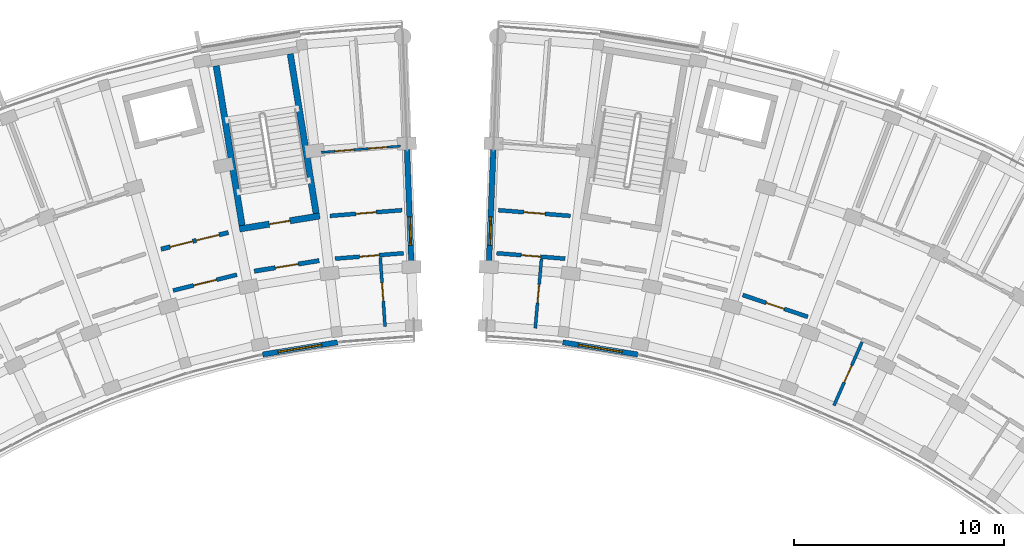
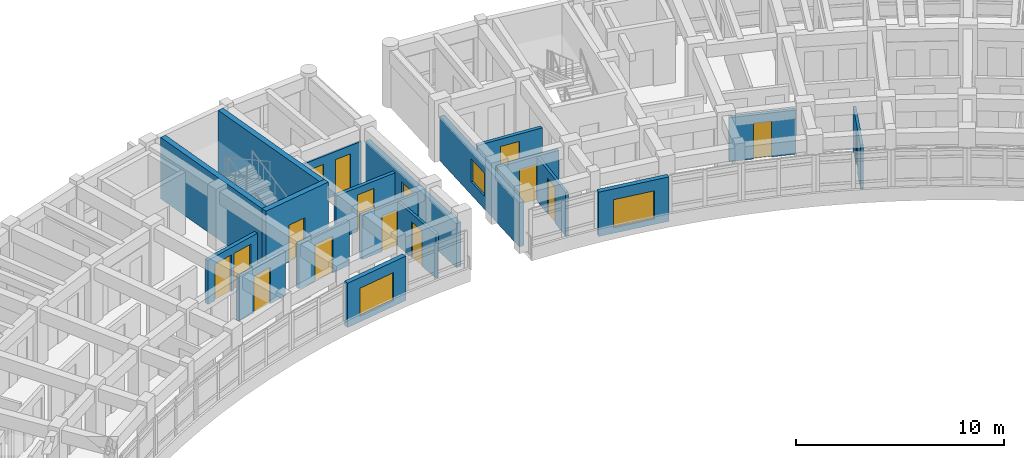
# One storey, part 61 of 83: 19 walls, 15 doors, 4 windows, 19 openings.
"""IFC4 building model written with IfcOpenShell, lengths in metres."""

from ifc_helpers import new_model, si_unit, direction, frame, frame_2d, origin, place, context, subcontext, project, spatial, rectangle, extrude, material, layer, layer_set, type_object, element, fill, save


model = new_model("IFC4")

# Units and contexts
model_context = context("Model", 3, precision=1e-05, world=origin(), true_north=direction((0.0, 1.0)))
body_context = subcontext(model_context, "Body", "Model", "MODEL_VIEW")
ifc_project = project(units=[si_unit("LENGTHUNIT", "METRE"), si_unit("AREAUNIT", "SQUARE_METRE"), si_unit("VOLUMEUNIT", "CUBIC_METRE"), si_unit("PLANEANGLEUNIT", "RADIAN"), si_unit("MASSUNIT", "GRAM", prefix="KILO")], contexts=[model_context])

# Site, building, storey
site_placement = place(None, origin())
site = spatial("IfcSite", under=ifc_project, at=site_placement, CompositionType="ELEMENT")
building_placement = place(site_placement, origin())
building = spatial("IfcBuilding", under=site, at=building_placement, Name="Zimvara Arc Housing Community", CompositionType="ELEMENT")
storey_placement = place(building_placement, frame((0.0, 0.0, 4.5)))
storey = spatial("IfcBuildingStorey", under=building, at=storey_placement, Name="L01", CompositionType="ELEMENT", Elevation=4.5)

# Wall, opening, window
ifc_material_1 = material(Name="Board-Marked Fair-Faced Concrete C35/45", Category="concrete")
ifc_layer_1 = layer(ifc_material_1, 0.264892578125)
ifc_layer_set_1 = layer_set([ifc_layer_1], Name="Board-Marked Fair-Faced Concrete C35/45")
wall_type_1 = type_object("IfcWallType", Name="EWL-CONC-265", PredefinedType="SOLIDWALL", material=ifc_layer_set_1)
wall_1_placement = place(storey_placement, frame((43.2587890625, 89.82666015625, 0.0), z_axis=(0.0, 0.0, 1.0), x_axis=(-0.038407966241, 0.999262141847, 0.0)))
wall_1 = element("IfcWall", 1, at=wall_1_placement, inside=storey, type_object=wall_type_1, Name="ewall:blkA:L01:gN", PredefinedType="SOLIDWALL", context=body_context, shape_type="SweptSolid", body=[
    extrude(rectangle(XDim=8.199951171875, YDim=0.264892578125, at=frame_2d((4.10009765625, 0.0))), origin(), (0.0, 0.0, 1.0), 2.580078125),
])
opening_1_placement = place(wall_1_placement, frame((3.590087890625, 0.0, 0.75)))
opening_1 = element("IfcOpeningElement", 2, at=opening_1_placement, cuts=wall_1, Name="Opening W12", PredefinedType="OPENING", context=body_context, shape_type="SweptSolid", body=[
    extrude(rectangle(XDim=1.35009765625, YDim=1.35009765625, at=frame_2d((0.675048828125, 0.675048828125))), frame((0.0, 0.142333984375, 0.0), z_axis=(0.0, -1.0, 0.0), x_axis=(1.0, 0.0, 0.0)), (0.0, 0.0, 1.0), 0.284912109375),
])
ifc_material_2 = material(Name="Solar Control Low-E Double Glazing", Category="glass")
window_type_1 = type_object("IfcWindowType", Name="WIN-RES-1350x1350", PartitioningType="DOUBLE_PANEL_VERTICAL", PredefinedType="WINDOW", material=ifc_material_2)
window_1_placement = place(opening_1_placement, origin())
window_1 = element("IfcWindow", 3, at=window_1_placement, inside=storey, type_object=window_type_1, Name="win:blkA:L01:gN:w", OverallHeight=1.35009765625, OverallWidth=1.35009765625, PartitioningType="DOUBLE_PANEL_VERTICAL", PredefinedType="WINDOW", context=body_context, shape_type="SweptSolid", body=[
    extrude(rectangle(XDim=1.35009765625, YDim=1.35009765625, at=frame_2d((0.675048828125, 0.675048828125))), frame((0.0, 0.030029296875, 0.0), z_axis=(0.0, -1.0, 0.0), x_axis=(1.0, 0.0, 0.0)), (0.0, 0.0, 1.0), 0.06005859375),
])
fill(opening_1, window_1)

wall_2_placement = place(storey_placement, frame((46.7412109375, 89.82666015625, 0.0), z_axis=(0.0, 0.0, 1.0), x_axis=(0.038407966241, 0.999262141847, 0.0)))
wall_2 = element("IfcWall", 4, at=wall_2_placement, inside=storey, type_object=wall_type_1, Name="ewall:blkB:L01:g0", PredefinedType="SOLIDWALL", context=body_context, shape_type="SweptSolid", body=[
    extrude(rectangle(XDim=8.199951171875, YDim=0.264892578125, at=frame_2d((4.10009765625, 0.0))), origin(), (0.0, 0.0, 1.0), 2.580078125),
])
opening_2_placement = place(wall_2_placement, frame((3.590087890625, 0.0, 0.75)))
opening_2 = element("IfcOpeningElement", 5, at=opening_2_placement, cuts=wall_2, Name="Opening W12", PredefinedType="OPENING", context=body_context, shape_type="SweptSolid", body=[
    extrude(rectangle(XDim=1.35009765625, YDim=1.35009765625, at=frame_2d((0.675048828125, 0.675048828125))), frame((0.0, 0.142333984375, 0.0), z_axis=(0.0, -1.0, 0.0), x_axis=(1.0, 0.0, 0.0)), (0.0, 0.0, 1.0), 0.284912109375),
])
window_2_placement = place(opening_2_placement, origin())
window_2 = element("IfcWindow", 6, at=window_2_placement, inside=storey, type_object=window_type_1, Name="win:blkB:L01:g0:w", OverallHeight=1.35009765625, OverallWidth=1.35009765625, PartitioningType="DOUBLE_PANEL_VERTICAL", PredefinedType="WINDOW", context=body_context, shape_type="SweptSolid", body=[
    extrude(rectangle(XDim=1.35009765625, YDim=1.35009765625, at=frame_2d((0.675048828125, 0.675048828125))), frame((0.0, 0.030029296875, 0.0), z_axis=(0.0, -1.0, 0.0), x_axis=(1.0, 0.0, 0.0)), (0.0, 0.0, 1.0), 0.06005859375),
])
fill(opening_2, window_2)

ifc_material_3 = material(Name="Pigmented Fair-Faced Concrete C35/45", Category="concrete")
ifc_layer_2 = layer(ifc_material_3, 0.2451171875)
ifc_layer_set_2 = layer_set([ifc_layer_2], Name="Pigmented Fair-Faced Concrete C35/45")
wall_type_2 = type_object("IfcWallType", Name="EWL-PIGM-245", PredefinedType="SOLIDWALL", material=ifc_layer_set_2)
wall_3_placement = place(storey_placement, frame((36.078125, 88.218017578125, 0.0), z_axis=(0.0, 0.0, 1.0), x_axis=(0.987080874485, 0.160222804952, 0.0)))
wall_3 = element("IfcWall", 7, at=wall_3_placement, inside=storey, type_object=wall_type_2, Name="ewall:blkA:L01:in:b8", PredefinedType="SOLIDWALL", context=body_context, shape_type="SweptSolid", body=[
    extrude(rectangle(XDim=3.603759765625, YDim=0.2451171875, at=frame_2d((1.8017578125, 0.0))), origin(), (0.0, 0.0, 1.0), 2.60009765625),
])
opening_3_placement = place(wall_3_placement, frame((0.751708984375, 0.0, 0.320068359375)))
opening_3 = element("IfcOpeningElement", 8, at=opening_3_placement, cuts=wall_3, Name="Opening W09", PredefinedType="OPENING", context=body_context, shape_type="SweptSolid", body=[
    extrude(rectangle(XDim=2.10009765625, YDim=1.64990234375, at=frame_2d((1.050048828125, 0.824951171875))), frame((0.0, 0.132568359375, 0.0), z_axis=(0.0, -1.0, 0.0), x_axis=(1.0, 0.0, 0.0)), (0.0, 0.0, 1.0), 0.26513671875),
])
ifc_material_4 = material(Name="Solar Control Low-E Double Glazing", Category="glass")
window_type_2 = type_object("IfcWindowType", Name="WIN-RES-2100x1650", PartitioningType="TRIPLE_PANEL_VERTICAL", PredefinedType="WINDOW", material=ifc_material_4)
window_3_placement = place(opening_3_placement, origin())
window_3 = element("IfcWindow", 9, at=window_3_placement, inside=storey, type_object=window_type_2, Name="win:blkA:L01:in:b8", OverallHeight=1.64990234375, OverallWidth=2.10009765625, PartitioningType="TRIPLE_PANEL_VERTICAL", PredefinedType="WINDOW", context=body_context, shape_type="SweptSolid", body=[
    extrude(rectangle(XDim=2.10009765625, YDim=1.64990234375, at=frame_2d((1.050048828125, 0.824951171875))), frame((0.0, 0.030029296875, 0.0), z_axis=(0.0, -1.0, 0.0), x_axis=(1.0, 0.0, 0.0)), (0.0, 0.0, 1.0), 0.06005859375),
])
fill(opening_3, window_3)

wall_4_placement = place(storey_placement, frame((50.36474609375, 88.79541015625, 0.0), z_axis=(0.0, 0.0, 1.0), x_axis=(0.987080874485, -0.160222804952, 0.0)))
wall_4 = element("IfcWall", 10, at=wall_4_placement, inside=storey, type_object=wall_type_2, Name="ewall:blkB:L01:in:b1", PredefinedType="SOLIDWALL", context=body_context, shape_type="SweptSolid", body=[
    extrude(rectangle(XDim=3.603759765625, YDim=0.2451171875, at=frame_2d((1.8017578125, 0.0))), origin(), (0.0, 0.0, 1.0), 2.60009765625),
])
opening_4_placement = place(wall_4_placement, frame((0.751708984375, 0.0, 0.320068359375)))
opening_4 = element("IfcOpeningElement", 11, at=opening_4_placement, cuts=wall_4, Name="Opening W09", PredefinedType="OPENING", context=body_context, shape_type="SweptSolid", body=[
    extrude(rectangle(XDim=2.10009765625, YDim=1.64990234375, at=frame_2d((1.050048828125, 0.824951171875))), frame((0.0, 0.132568359375, 0.0), z_axis=(0.0, -1.0, 0.0), x_axis=(1.0, 0.0, 0.0)), (0.0, 0.0, 1.0), 0.26513671875),
])
window_4_placement = place(opening_4_placement, origin())
window_4 = element("IfcWindow", 12, at=window_4_placement, inside=storey, type_object=window_type_2, Name="win:blkB:L01:in:b1", OverallHeight=1.64990234375, OverallWidth=2.10009765625, PartitioningType="TRIPLE_PANEL_VERTICAL", PredefinedType="WINDOW", context=body_context, shape_type="SweptSolid", body=[
    extrude(rectangle(XDim=2.10009765625, YDim=1.64990234375, at=frame_2d((1.050048828125, 0.824951171875))), frame((0.0, 0.030029296875, 0.0), z_axis=(0.0, -1.0, 0.0), x_axis=(1.0, 0.0, 0.0)), (0.0, 0.0, 1.0), 0.06005859375),
])
fill(opening_4, window_4)

# Wall, openings, doors
ifc_material_5 = material(Name="Concrete C35/45", Category="concrete")
ifc_layer_3 = layer(ifc_material_5, 0.2099609375)
ifc_layer_set_3 = layer_set([ifc_layer_3], Name="Concrete C35/45")
wall_type_3 = type_object("IfcWallType", Name="IWL-CCF-210", PredefinedType="SOLIDWALL", material=ifc_layer_set_3)
wall_5_placement = place(storey_placement, frame((31.242919921875, 93.22998046875, 0.0), z_axis=(0.0, 0.0, 1.0), x_axis=(0.970719238682, 0.240216901263, 0.0)))
wall_5 = element("IfcWall", 13, at=wall_5_placement, inside=storey, type_object=wall_type_3, Name="iwall:blkA:L01:ll_div:b7", PredefinedType="SOLIDWALL", context=body_context, shape_type="SweptSolid", body=[
    extrude(rectangle(XDim=3.2958984375, YDim=0.2099609375, at=frame_2d((1.64794921875, 0.0))), origin(), (0.0, 0.0, 1.0), 2.580078125),
])
opening_5_placement = place(wall_5_placement, frame((0.449951171875, 0.0, 0.0)))
opening_5 = element("IfcOpeningElement", 14, at=opening_5_placement, cuts=wall_5, Name="Opening FD-CCF1", PredefinedType="OPENING", context=body_context, shape_type="SweptSolid", body=[
    extrude(rectangle(XDim=1.10009765625, YDim=2.14990234375, at=frame_2d((0.550048828125, 1.074951171875))), frame((0.0, 0.114990234375, 0.0), z_axis=(0.0, -1.0, 0.0), x_axis=(1.0, 0.0, 0.0)), (0.0, 0.0, 1.0), 0.22998046875),
])
opening_6_placement = place(wall_5_placement, frame((1.72607421875, 0.0, 0.0)))
opening_6 = element("IfcOpeningElement", 15, at=opening_6_placement, cuts=wall_5, Name="Opening D07", PredefinedType="OPENING", context=body_context, shape_type="SweptSolid", body=[
    extrude(rectangle(XDim=1.1201171875, YDim=2.14990234375, at=frame_2d((0.56005859375, 1.074951171875))), frame((0.0, 0.114990234375, 0.0), z_axis=(0.0, -1.0, 0.0), x_axis=(1.0, 0.0, 0.0)), (0.0, 0.0, 1.0), 0.22998046875),
])
ifc_material_6 = material(Name="Mozambican Hardwood", Category="wood")
door_type_1 = type_object("IfcDoorType", Name="IDR-AMN-1120x2150", OperationType="NOTDEFINED", PredefinedType="DOOR", material=ifc_material_6)
door_1_placement = place(opening_6_placement, origin())
door_1 = element("IfcDoor", 16, at=door_1_placement, inside=storey, type_object=door_type_1, Name="idoor:blkA:L01:rs_in:b7", OperationType="SINGLE_SWING_LEFT", OverallHeight=2.14990234375, OverallWidth=1.1201171875, PredefinedType="DOOR", context=body_context, shape_type="SweptSolid", body=[
    extrude(rectangle(XDim=1.1201171875, YDim=2.14990234375, at=frame_2d((0.56005859375, 1.074951171875))), frame((0.0, 0.02490234375, 0.0), z_axis=(0.0, -1.0, 0.0), x_axis=(1.0, 0.0, 0.0)), (0.0, 0.0, 1.0), 0.050048828125),
])
fill(opening_6, door_1)
ifc_material_7 = material(Name="Anodised Aluminium AW-6063", Category="aluminium")
door_type_2 = type_object("IfcDoorType", Name="IDR-CCF-1100x2150", OperationType="NOTDEFINED", PredefinedType="DOOR", material=ifc_material_7)
door_2_placement = place(opening_5_placement, origin())
door_2 = element("IfcDoor", 17, at=door_2_placement, inside=storey, type_object=door_type_2, Name="idoor:blkA:L01:ll_in:b7", OperationType="SINGLE_SWING_RIGHT", OverallHeight=2.14990234375, OverallWidth=1.10009765625, PredefinedType="DOOR", context=body_context, shape_type="SweptSolid", body=[
    extrude(rectangle(XDim=1.10009765625, YDim=2.14990234375, at=frame_2d((0.550048828125, 1.074951171875))), frame((0.0, 0.02490234375, 0.0), z_axis=(0.0, -1.0, 0.0), x_axis=(1.0, 0.0, 0.0)), (0.0, 0.0, 1.0), 0.050048828125),
])
fill(opening_5, door_2)

# Wall, opening, door
wall_6_placement = place(storey_placement, frame((35.675537109375, 92.181396484375, 0.0), z_axis=(0.0, 0.0, 1.0), x_axis=(0.98707079686, 0.160284877599, 0.0)))
wall_6 = element("IfcWall", 18, at=wall_6_placement, inside=storey, type_object=wall_type_3, Name="iwall:blkA:L01:ccf_div:b8", PredefinedType="SOLIDWALL", context=body_context, shape_type="SweptSolid", body=[
    extrude(rectangle(XDim=3.128662109375, YDim=0.2099609375, at=frame_2d((1.564453125, 0.0))), origin(), (0.0, 0.0, 1.0), 2.580078125),
])
opening_7_placement = place(wall_6_placement, frame((1.014404296875, 0.0, 0.0)))
opening_7 = element("IfcOpeningElement", 19, at=opening_7_placement, cuts=wall_6, Name="Opening FD-CCF1", PredefinedType="OPENING", context=body_context, shape_type="SweptSolid", body=[
    extrude(rectangle(XDim=1.10009765625, YDim=2.14990234375, at=frame_2d((0.550048828125, 1.074951171875))), frame((0.0, 0.114990234375, 0.0), z_axis=(0.0, -1.0, 0.0), x_axis=(1.0, 0.0, 0.0)), (0.0, 0.0, 1.0), 0.22998046875),
])
door_3_placement = place(opening_7_placement, origin())
door_3 = element("IfcDoor", 20, at=door_3_placement, inside=storey, type_object=door_type_2, Name="idoor:blkA:L01:ccf_in:b8", OperationType="SINGLE_SWING_LEFT", OverallHeight=2.14990234375, OverallWidth=1.10009765625, PredefinedType="DOOR", context=body_context, shape_type="SweptSolid", body=[
    extrude(rectangle(XDim=1.10009765625, YDim=2.14990234375, at=frame_2d((0.550048828125, 1.074951171875))), frame((0.0, 0.02490234375, 0.0), z_axis=(0.0, -1.0, 0.0), x_axis=(1.0, 0.0, 0.0)), (0.0, 0.0, 1.0), 0.050048828125),
])
fill(opening_7, door_3)

ifc_material_8 = material(Name="Concrete C35/45", Category="concrete")
ifc_layer_4 = layer(ifc_material_8, 0.18994140625)
ifc_layer_set_4 = layer_set([ifc_layer_4], Name="Concrete C35/45")
wall_type_4 = type_object("IfcWallType", Name="IWL-CORR-190", PredefinedType="SOLIDWALL", material=ifc_layer_set_4)
wall_7_placement = place(storey_placement, frame((31.816162109375, 91.26171875, 0.0), z_axis=(0.0, 0.0, 1.0), x_axis=(0.970727194092, 0.240184751078, 0.0)))
wall_7 = element("IfcWall", 21, at=wall_7_placement, inside=storey, type_object=wall_type_4, Name="iwall:blkA:L01:ra_div:b7", PredefinedType="SOLIDWALL", context=body_context, shape_type="SweptSolid", body=[
    extrude(rectangle(XDim=3.128662109375, YDim=0.18994140625, at=frame_2d((1.564453125, 0.0))), origin(), (0.0, 0.0, 1.0), 2.580078125),
])
opening_8_placement = place(wall_7_placement, frame((1.00439453125, 0.0, 0.0)))
opening_8 = element("IfcOpeningElement", 22, at=opening_8_placement, cuts=wall_7, Name="Opening D07", PredefinedType="OPENING", context=body_context, shape_type="SweptSolid", body=[
    extrude(rectangle(XDim=1.1201171875, YDim=2.14990234375, at=frame_2d((0.56005859375, 1.074951171875))), frame((0.0, 0.10498046875, 0.0), z_axis=(0.0, -1.0, 0.0), x_axis=(1.0, 0.0, 0.0)), (0.0, 0.0, 1.0), 0.2099609375),
])
door_4_placement = place(opening_8_placement, origin())
door_4 = element("IfcDoor", 23, at=door_4_placement, inside=storey, type_object=door_type_1, Name="idoor:blkA:L01:ra_d:b7", OperationType="SINGLE_SWING_RIGHT", OverallHeight=2.14990234375, OverallWidth=1.1201171875, PredefinedType="DOOR", context=body_context, shape_type="SweptSolid", body=[
    extrude(rectangle(XDim=1.1201171875, YDim=2.14990234375, at=frame_2d((0.56005859375, 1.074951171875))), frame((0.0, 0.02490234375, 0.0), z_axis=(0.0, -1.0, 0.0), x_axis=(1.0, 0.0, 0.0)), (0.0, 0.0, 1.0), 0.050048828125),
])
fill(opening_8, door_4)

wall_8_placement = place(storey_placement, frame((39.281494140625, 94.81298828125, 0.0), z_axis=(0.0, 0.0, 1.0), x_axis=(0.996862545573, 0.079152165058, 0.0)))
wall_8 = element("IfcWall", 24, at=wall_8_placement, inside=storey, type_object=wall_type_4, Name="iwall:blkA:L01:corr_out:b9", PredefinedType="SOLIDWALL", context=body_context, shape_type="SweptSolid", body=[
    extrude(rectangle(XDim=3.43603515625, YDim=0.18994140625, at=frame_2d((1.718017578125, 0.0))), origin(), (0.0, 0.0, 1.0), 2.580078125),
])
opening_9_placement = place(wall_8_placement, frame((1.22802734375, 0.0, 0.0)))
opening_9 = element("IfcOpeningElement", 25, at=opening_9_placement, cuts=wall_8, Name="Opening FD-FL1", PredefinedType="OPENING", context=body_context, shape_type="SweptSolid", body=[
    extrude(rectangle(XDim=0.97998046875, YDim=2.14990234375, at=frame_2d((0.489990234375, 1.074951171875))), frame((0.0, 0.10498046875, 0.0), z_axis=(0.0, -1.0, 0.0), x_axis=(1.0, 0.0, 0.0)), (0.0, 0.0, 1.0), 0.2099609375),
])
ifc_material_9 = material(Name="Mozambican Hardwood", Category="wood")
door_type_3 = type_object("IfcDoorType", Name="IDR-FLAT-0980x2150", OperationType="NOTDEFINED", PredefinedType="DOOR", material=ifc_material_9)
door_5_placement = place(opening_9_placement, origin())
door_5 = element("IfcDoor", 26, at=door_5_placement, inside=storey, type_object=door_type_3, Name="idoor:blkA:L01:flat:b9", OperationType="SINGLE_SWING_RIGHT", OverallHeight=2.14990234375, OverallWidth=0.97998046875, PredefinedType="DOOR", context=body_context, shape_type="SweptSolid", body=[
    extrude(rectangle(XDim=0.97998046875, YDim=2.14990234375, at=frame_2d((0.489990234375, 1.074951171875))), frame((0.0, 0.02490234375, 0.0), z_axis=(0.0, -1.0, 0.0), x_axis=(1.0, 0.0, 0.0)), (0.0, 0.0, 1.0), 0.050048828125),
])
fill(opening_9, door_5)

wall_9_placement = place(storey_placement, frame((39.527099609375, 92.77783203125, 0.0), z_axis=(0.0, 0.0, 1.0), x_axis=(0.99686660806, 0.07910098441, 0.0)))
wall_9 = element("IfcWall", 27, at=wall_9_placement, inside=storey, type_object=wall_type_4, Name="iwall:blkA:L01:corr_in:b9", PredefinedType="SOLIDWALL", context=body_context, shape_type="SweptSolid", body=[
    extrude(rectangle(XDim=3.2685546875, YDim=0.18994140625, at=frame_2d((1.63427734375, 0.0))), origin(), (0.0, 0.0, 1.0), 2.580078125),
])
opening_10_placement = place(wall_9_placement, frame((1.164306640625, 0.0, 0.0)))
opening_10 = element("IfcOpeningElement", 28, at=opening_10_placement, cuts=wall_9, Name="Opening D03", PredefinedType="OPENING", context=body_context, shape_type="SweptSolid", body=[
    extrude(rectangle(XDim=0.93994140625, YDim=2.10009765625, at=frame_2d((0.469970703125, 1.050048828125))), frame((0.0, 0.10498046875, 0.0), z_axis=(0.0, -1.0, 0.0), x_axis=(1.0, 0.0, 0.0)), (0.0, 0.0, 1.0), 0.2099609375),
])
ifc_material_10 = material(Name="Mozambican Hardwood", Category="wood")
door_type_4 = type_object("IfcDoorType", Name="IDR-RM-0940x2100", OperationType="NOTDEFINED", PredefinedType="DOOR", material=ifc_material_10)
door_6_placement = place(opening_10_placement, origin())
door_6 = element("IfcDoor", 29, at=door_6_placement, inside=storey, type_object=door_type_4, Name="idoor:blkA:L01:in_rm:b9", OperationType="SINGLE_SWING_LEFT", OverallHeight=2.10009765625, OverallWidth=0.93994140625, PredefinedType="DOOR", context=body_context, shape_type="SweptSolid", body=[
    extrude(rectangle(XDim=0.93994140625, YDim=2.10009765625, at=frame_2d((0.469970703125, 1.050048828125))), frame((0.0, 0.02490234375, 0.0), z_axis=(0.0, -1.0, 0.0), x_axis=(1.0, 0.0, 0.0)), (0.0, 0.0, 1.0), 0.050048828125),
])
fill(opening_10, door_6)

wall_10_placement = place(storey_placement, frame((47.293212890625, 95.0849609375, 0.0), z_axis=(0.0, 0.0, 1.0), x_axis=(0.996862545573, -0.079152165058, 0.0)))
wall_10 = element("IfcWall", 30, at=wall_10_placement, inside=storey, type_object=wall_type_4, Name="iwall:blkB:L01:corr_out:b0", PredefinedType="SOLIDWALL", context=body_context, shape_type="SweptSolid", body=[
    extrude(rectangle(XDim=3.43603515625, YDim=0.18994140625, at=frame_2d((1.718017578125, 0.0))), origin(), (0.0, 0.0, 1.0), 2.580078125),
])
opening_11_placement = place(wall_10_placement, frame((1.2080078125, 0.0, 0.0)))
opening_11 = element("IfcOpeningElement", 31, at=opening_11_placement, cuts=wall_10, Name="Opening FD-FL2", PredefinedType="OPENING", context=body_context, shape_type="SweptSolid", body=[
    extrude(rectangle(XDim=1.02001953125, YDim=2.14990234375, at=frame_2d((0.510009765625, 1.074951171875))), frame((0.0, 0.10498046875, 0.0), z_axis=(0.0, -1.0, 0.0), x_axis=(1.0, 0.0, 0.0)), (0.0, 0.0, 1.0), 0.2099609375),
])
ifc_material_11 = material(Name="Mozambican Hardwood", Category="wood")
door_type_5 = type_object("IfcDoorType", Name="IDR-FLAT-1020x2150", OperationType="NOTDEFINED", PredefinedType="DOOR", material=ifc_material_11)
door_7_placement = place(opening_11_placement, origin())
door_7 = element("IfcDoor", 32, at=door_7_placement, inside=storey, type_object=door_type_5, Name="idoor:blkB:L01:flat:b0", OperationType="SINGLE_SWING_LEFT", OverallHeight=2.14990234375, OverallWidth=1.02001953125, PredefinedType="DOOR", context=body_context, shape_type="SweptSolid", body=[
    extrude(rectangle(XDim=1.02001953125, YDim=2.14990234375, at=frame_2d((0.510009765625, 1.074951171875))), frame((0.0, 0.02490234375, 0.0), z_axis=(0.0, -1.0, 0.0), x_axis=(1.0, 0.0, 0.0)), (0.0, 0.0, 1.0), 0.050048828125),
])
fill(opening_11, door_7)

wall_11_placement = place(storey_placement, frame((47.214599609375, 93.036376953125, 0.0), z_axis=(0.0, 0.0, 1.0), x_axis=(0.99686660806, -0.07910098441, 0.0)))
wall_11 = element("IfcWall", 33, at=wall_11_placement, inside=storey, type_object=wall_type_4, Name="iwall:blkB:L01:corr_in:b0", PredefinedType="SOLIDWALL", context=body_context, shape_type="SweptSolid", body=[
    extrude(rectangle(XDim=3.2685546875, YDim=0.18994140625, at=frame_2d((1.63427734375, 0.0))), origin(), (0.0, 0.0, 1.0), 2.580078125),
])
opening_12_placement = place(wall_11_placement, frame((1.17431640625, 0.0, 0.0)))
opening_12 = element("IfcOpeningElement", 34, at=opening_12_placement, cuts=wall_11, Name="Opening D02", PredefinedType="OPENING", context=body_context, shape_type="SweptSolid", body=[
    extrude(rectangle(XDim=0.919921875, YDim=2.10009765625, at=frame_2d((0.4599609375, 1.050048828125))), frame((0.0, 0.10498046875, 0.0), z_axis=(0.0, -1.0, 0.0), x_axis=(1.0, 0.0, 0.0)), (0.0, 0.0, 1.0), 0.2099609375),
])
ifc_material_12 = material(Name="Mozambican Hardwood", Category="wood")
door_type_6 = type_object("IfcDoorType", Name="IDR-RM-0920x2100", OperationType="NOTDEFINED", PredefinedType="DOOR", material=ifc_material_12)
door_8_placement = place(opening_12_placement, origin())
door_8 = element("IfcDoor", 35, at=door_8_placement, inside=storey, type_object=door_type_6, Name="idoor:blkB:L01:in_rm:b0", OperationType="SINGLE_SWING_RIGHT", OverallHeight=2.10009765625, OverallWidth=0.919921875, PredefinedType="DOOR", context=body_context, shape_type="SweptSolid", body=[
    extrude(rectangle(XDim=0.919921875, YDim=2.10009765625, at=frame_2d((0.4599609375, 1.050048828125))), frame((0.0, 0.02490234375, 0.0), z_axis=(0.0, -1.0, 0.0), x_axis=(1.0, 0.0, 0.0)), (0.0, 0.0, 1.0), 0.050048828125),
])
fill(opening_12, door_8)

wall_12_placement = place(storey_placement, frame((58.92333984375, 91.04931640625, 0.0), z_axis=(0.0, 0.0, 1.0), x_axis=(0.94787351033, -0.318646839643, 0.0)))
wall_12 = element("IfcWall", 36, at=wall_12_placement, inside=storey, type_object=wall_type_4, Name="iwall:blkB:L01:corr_in:b3", PredefinedType="SOLIDWALL", context=body_context, shape_type="SweptSolid", body=[
    extrude(rectangle(XDim=3.2685546875, YDim=0.18994140625, at=frame_2d((1.63427734375, 0.0))), origin(), (0.0, 0.0, 1.0), 2.580078125),
])
opening_13_placement = place(wall_12_placement, frame((1.184326171875, 0.0, 0.0)))
opening_13 = element("IfcOpeningElement", 37, at=opening_13_placement, cuts=wall_12, Name="Opening D01", PredefinedType="OPENING", context=body_context, shape_type="SweptSolid", body=[
    extrude(rectangle(XDim=0.89990234375, YDim=2.10009765625, at=frame_2d((0.449951171875, 1.050048828125))), frame((0.0, 0.10498046875, 0.0), z_axis=(0.0, -1.0, 0.0), x_axis=(1.0, 0.0, 0.0)), (0.0, 0.0, 1.0), 0.2099609375),
])
ifc_material_13 = material(Name="Mozambican Hardwood", Category="wood")
door_type_7 = type_object("IfcDoorType", Name="IDR-RM-0900x2100", OperationType="NOTDEFINED", PredefinedType="DOOR", material=ifc_material_13)
door_9_placement = place(opening_13_placement, origin())
door_9 = element("IfcDoor", 38, at=door_9_placement, inside=storey, type_object=door_type_7, Name="idoor:blkB:L01:in_rm:b3", OperationType="SINGLE_SWING_LEFT", OverallHeight=2.10009765625, OverallWidth=0.89990234375, PredefinedType="DOOR", context=body_context, shape_type="SweptSolid", body=[
    extrude(rectangle(XDim=0.89990234375, YDim=2.10009765625, at=frame_2d((0.449951171875, 1.050048828125))), frame((0.0, 0.02490234375, 0.0), z_axis=(0.0, -1.0, 0.0), x_axis=(1.0, 0.0, 0.0)), (0.0, 0.0, 1.0), 0.050048828125),
])
fill(opening_13, door_9)

# Wall, openings, doors
ifc_material_14 = material(Name="Painted Acoustic Plasterboard")
ifc_layer_5 = layer(ifc_material_14, 0.10498046875)
ifc_layer_set_5 = layer_set([ifc_layer_5], Name="Painted Acoustic Plasterboard")
wall_type_5 = type_object("IfcWallType", Name="IWL-PART-105", PredefinedType="PARTITIONING", material=ifc_layer_set_5)
wall_13_placement = place(storey_placement, frame((38.8662109375, 97.837158203125, 0.0), z_axis=(0.0, 0.0, 1.0), x_axis=(0.996863292793, 0.079142753818, 0.0)))
wall_13 = element("IfcWall", 39, at=wall_13_placement, inside=storey, type_object=wall_type_5, Name="iwall:blkA:L01:srv:b9", PredefinedType="PARTITIONING", context=body_context, shape_type="SweptSolid", body=[
    extrude(rectangle(XDim=3.78515625, YDim=0.10498046875, at=frame_2d((1.892578125, 0.0))), origin(), (0.0, 0.0, 1.0), 2.580078125),
])
opening_14_placement = place(wall_13_placement, frame((0.64990234375, 0.0, 0.0)))
opening_14 = element("IfcOpeningElement", 40, at=opening_14_placement, cuts=wall_13, Name="Opening D01", PredefinedType="OPENING", context=body_context, shape_type="SweptSolid", body=[
    extrude(rectangle(XDim=0.89990234375, YDim=2.10009765625, at=frame_2d((0.449951171875, 1.050048828125))), frame((0.0, 0.0625, 0.0), z_axis=(0.0, -1.0, 0.0), x_axis=(1.0, 0.0, 0.0)), (0.0, 0.0, 1.0), 0.125),
])
opening_15_placement = place(wall_13_placement, frame((2.255126953125, 0.0, 0.0)))
opening_15 = element("IfcOpeningElement", 41, at=opening_15_placement, cuts=wall_13, Name="Opening D05", PredefinedType="OPENING", context=body_context, shape_type="SweptSolid", body=[
    extrude(rectangle(XDim=0.8798828125, YDim=2.10009765625, at=frame_2d((0.43994140625, 1.050048828125))), frame((0.0, 0.0625, 0.0), z_axis=(0.0, -1.0, 0.0), x_axis=(1.0, 0.0, 0.0)), (0.0, 0.0, 1.0), 0.125),
])
door_10_placement = place(opening_14_placement, origin())
door_10 = element("IfcDoor", 42, at=door_10_placement, inside=storey, type_object=door_type_7, Name="idoor:blkA:L01:kit_liv:b9", OperationType="SINGLE_SWING_LEFT", OverallHeight=2.10009765625, OverallWidth=0.89990234375, PredefinedType="DOOR", context=body_context, shape_type="SweptSolid", body=[
    extrude(rectangle(XDim=0.89990234375, YDim=2.10009765625, at=frame_2d((0.449951171875, 1.050048828125))), frame((0.0, 0.02490234375, 0.0), z_axis=(0.0, -1.0, 0.0), x_axis=(1.0, 0.0, 0.0)), (0.0, 0.0, 1.0), 0.050048828125),
])
fill(opening_14, door_10)
ifc_material_15 = material(Name="Mozambican Hardwood", Category="wood")
door_type_8 = type_object("IfcDoorType", Name="IDR-WC-0880x2100", OperationType="NOTDEFINED", PredefinedType="DOOR", material=ifc_material_15)
door_11_placement = place(opening_15_placement, origin())
door_11 = element("IfcDoor", 43, at=door_11_placement, inside=storey, type_object=door_type_8, Name="idoor:blkA:L01:bath_d:b9", OperationType="SINGLE_SWING_RIGHT", OverallHeight=2.10009765625, OverallWidth=0.8798828125, PredefinedType="DOOR", context=body_context, shape_type="SweptSolid", body=[
    extrude(rectangle(XDim=0.8798828125, YDim=2.10009765625, at=frame_2d((0.43994140625, 1.050048828125))), frame((0.0, 0.02490234375, 0.0), z_axis=(0.0, -1.0, 0.0), x_axis=(1.0, 0.0, 0.0)), (0.0, 0.0, 1.0), 0.050048828125),
])
fill(opening_15, door_11)

# Wall, opening, door
ifc_material_16 = material(Name="Painted Acoustic Plasterboard")
ifc_layer_6 = layer(ifc_material_16, 0.14501953125)
ifc_layer_set_6 = layer_set([ifc_layer_6], Name="Painted Acoustic Plasterboard")
wall_type_6 = type_object("IfcWallType", Name="IWL-WET-145", PredefinedType="PARTITIONING", material=ifc_layer_set_6)
wall_14_placement = place(storey_placement, frame((41.9013671875, 89.54345703125, 0.0), z_axis=(0.0, 0.0, 1.0), x_axis=(-0.068581194944, 0.997645538105, 0.0)))
wall_14 = element("IfcWall", 44, at=wall_14_placement, inside=storey, type_object=wall_type_6, Name="iwall:blkA:L01:ens:b9", PredefinedType="PARTITIONING", context=body_context, shape_type="SweptSolid", body=[
    extrude(rectangle(XDim=3.300048828125, YDim=0.14501953125, at=frame_2d((1.64990234375, 0.0))), origin(), (0.0, 0.0, 1.0), 2.580078125),
])
opening_16_placement = place(wall_14_placement, frame((1.2099609375, 0.0, 0.0)))
opening_16 = element("IfcOpeningElement", 45, at=opening_16_placement, cuts=wall_14, Name="Opening D05", PredefinedType="OPENING", context=body_context, shape_type="SweptSolid", body=[
    extrude(rectangle(XDim=0.8798828125, YDim=2.10009765625, at=frame_2d((0.43994140625, 1.050048828125))), frame((0.0, 0.08251953125, 0.0), z_axis=(0.0, -1.0, 0.0), x_axis=(1.0, 0.0, 0.0)), (0.0, 0.0, 1.0), 0.1650390625),
])
door_12_placement = place(opening_16_placement, origin())
door_12 = element("IfcDoor", 46, at=door_12_placement, inside=storey, type_object=door_type_8, Name="idoor:blkA:L01:ens_d:b9", OperationType="SINGLE_SWING_RIGHT", OverallHeight=2.10009765625, OverallWidth=0.8798828125, PredefinedType="DOOR", context=body_context, shape_type="SweptSolid", body=[
    extrude(rectangle(XDim=0.8798828125, YDim=2.10009765625, at=frame_2d((0.43994140625, 1.050048828125))), frame((0.0, 0.02490234375, 0.0), z_axis=(0.0, -1.0, 0.0), x_axis=(1.0, 0.0, 0.0)), (0.0, 0.0, 1.0), 0.050048828125),
])
fill(opening_16, door_12)

wall_15_placement = place(storey_placement, frame((49.048828125, 89.468017578125, 0.0), z_axis=(0.0, 0.0, 1.0), x_axis=(0.089661916212, 0.995972259042, 0.0)))
wall_15 = element("IfcWall", 47, at=wall_15_placement, inside=storey, type_object=wall_type_6, Name="iwall:blkB:L01:ens:b0", PredefinedType="PARTITIONING", context=body_context, shape_type="SweptSolid", body=[
    extrude(rectangle(XDim=3.300048828125, YDim=0.14501953125, at=frame_2d((1.64990234375, 0.0))), origin(), (0.0, 0.0, 1.0), 2.580078125),
])
opening_17_placement = place(wall_15_placement, frame((1.2099609375, 0.0, 0.0)))
opening_17 = element("IfcOpeningElement", 48, at=opening_17_placement, cuts=wall_15, Name="Opening D05", PredefinedType="OPENING", context=body_context, shape_type="SweptSolid", body=[
    extrude(rectangle(XDim=0.8798828125, YDim=2.10009765625, at=frame_2d((0.43994140625, 1.050048828125))), frame((0.0, 0.08251953125, 0.0), z_axis=(0.0, -1.0, 0.0), x_axis=(1.0, 0.0, 0.0)), (0.0, 0.0, 1.0), 0.1650390625),
])
door_13_placement = place(opening_17_placement, origin())
door_13 = element("IfcDoor", 49, at=door_13_placement, inside=storey, type_object=door_type_8, Name="idoor:blkB:L01:ens_d:b0", OperationType="SINGLE_SWING_LEFT", OverallHeight=2.10009765625, OverallWidth=0.8798828125, PredefinedType="DOOR", context=body_context, shape_type="SweptSolid", body=[
    extrude(rectangle(XDim=0.8798828125, YDim=2.10009765625, at=frame_2d((0.43994140625, 1.050048828125))), frame((0.0, 0.02490234375, 0.0), z_axis=(0.0, -1.0, 0.0), x_axis=(1.0, 0.0, 0.0)), (0.0, 0.0, 1.0), 0.050048828125),
])
fill(opening_17, door_13)

wall_16_placement = place(storey_placement, frame((63.266845703125, 85.789794921875, 0.0), z_axis=(0.0, 0.0, 1.0), x_axis=(0.404545283439, 0.91451796792, 0.0)))
wall_16 = element("IfcWall", 50, at=wall_16_placement, inside=storey, type_object=wall_type_6, Name="iwall:blkB:L01:ens:b4", PredefinedType="PARTITIONING", context=body_context, shape_type="SweptSolid", body=[
    extrude(rectangle(XDim=3.2998046875, YDim=0.14501953125, at=frame_2d((1.64990234375, 0.0))), origin(), (0.0, 0.0, 1.0), 2.580078125),
])
opening_18_placement = place(wall_16_placement, frame((1.2099609375, 0.0, 0.0)))
opening_18 = element("IfcOpeningElement", 51, at=opening_18_placement, cuts=wall_16, Name="Opening D05", PredefinedType="OPENING", context=body_context, shape_type="SweptSolid", body=[
    extrude(rectangle(XDim=0.8798828125, YDim=2.10009765625, at=frame_2d((0.43994140625, 1.050048828125))), frame((0.0, 0.08251953125, 0.0), z_axis=(0.0, -1.0, 0.0), x_axis=(1.0, 0.0, 0.0)), (0.0, 0.0, 1.0), 0.1650390625),
])
door_14_placement = place(opening_18_placement, origin())
door_14 = element("IfcDoor", 52, at=door_14_placement, inside=storey, type_object=door_type_8, Name="idoor:blkB:L01:ens_d:b4", OperationType="SINGLE_SWING_LEFT", OverallHeight=2.10009765625, OverallWidth=0.8798828125, PredefinedType="DOOR", context=body_context, shape_type="SweptSolid", body=[
    extrude(rectangle(XDim=0.8798828125, YDim=2.10009765625, at=frame_2d((0.43994140625, 1.050048828125))), frame((0.0, 0.02490234375, 0.0), z_axis=(0.0, -1.0, 0.0), x_axis=(1.0, 0.0, 0.0)), (0.0, 0.0, 1.0), 0.050048828125),
])
fill(opening_18, door_14)

ifc_material_17 = material(Name="Concrete C40/50", Category="concrete")
ifc_layer_7 = layer(ifc_material_17, 0.300048828125)
ifc_layer_set_7 = layer_set([ifc_layer_7], Name="Concrete C40/50")
wall_type_7 = type_object("IfcWallType", Name="WL-CORE-300", PredefinedType="SHEAR", material=ifc_layer_set_7)
wall_17_placement = place(storey_placement, frame((38.793701171875, 94.810546875, 0.0), z_axis=(0.0, 0.0, 1.0), x_axis=(-0.987077443397, -0.160243941341, 0.0)))
wall_17 = element("IfcWall", 53, at=wall_17_placement, inside=storey, type_object=wall_type_7, Name="cwall:ST-A2:L01:near", PredefinedType="SHEAR", context=body_context, shape_type="SweptSolid", body=[
    extrude(rectangle(XDim=3.869873046875, YDim=0.300048828125, at=frame_2d((1.93505859375, 0.0))), origin(), (0.0, 0.0, 1.0), 3.60009765625),
])
opening_19_placement = place(wall_17_placement, frame((1.43505859375, 0.0, 0.0)))
opening_19 = element("IfcOpeningElement", 54, at=opening_19_placement, cuts=wall_17, Name="Opening FD-ST1", PredefinedType="OPENING", context=body_context, shape_type="SweptSolid", body=[
    extrude(rectangle(XDim=1.0, YDim=2.14990234375, at=frame_2d((0.5, 1.074951171875))), frame((0.0, 0.159912109375, 0.0), z_axis=(0.0, -1.0, 0.0), x_axis=(1.0, 0.0, 0.0)), (0.0, 0.0, 1.0), 0.320068359375),
])
ifc_material_18 = material(Name="Anodised Aluminium AW-6063", Category="aluminium")
door_type_9 = type_object("IfcDoorType", Name="IDR-ST-1000x2150", OperationType="NOTDEFINED", PredefinedType="DOOR", material=ifc_material_18)
door_15_placement = place(opening_19_placement, origin())
door_15 = element("IfcDoor", 55, at=door_15_placement, inside=storey, type_object=door_type_9, Name="idoor:ST-A2:L01:entry", OperationType="SINGLE_SWING_LEFT", OverallHeight=2.14990234375, OverallWidth=1.0, PredefinedType="DOOR", context=body_context, shape_type="SweptSolid", body=[
    extrude(rectangle(XDim=1.0, YDim=2.14990234375, at=frame_2d((0.5, 1.074951171875))), frame((0.0, 0.02490234375, 0.0), z_axis=(0.0, -1.0, 0.0), x_axis=(1.0, 0.0, 0.0)), (0.0, 0.0, 1.0), 0.050048828125),
])
fill(opening_19, door_15)

# Walls
for number, where, z_axis, x_axis, name in (
    (56, (38.62158203125, 94.9345703125, 0.0), (0.0, 0.0, 1.0), (-0.160196564502, 0.987085133472, 0.0), "cwall:ST-A2:L01:left"),
    (57, (35.097900390625, 94.362548828125, 0.0), (0.0, 0.0, 1.0), (-0.160227496777, 0.987080112897, 0.0), "cwall:ST-A2:L01:right"),
):
    element("IfcWall", number, at=place(storey_placement, frame(where, z_axis=z_axis, x_axis=x_axis)), inside=storey, type_object=wall_type_7, Name=name, PredefinedType="SHEAR", context=body_context, shape_type="SweptSolid", body=[
        extrude(rectangle(XDim=7.690185546875, YDim=0.300048828125, at=frame_2d((3.84521484375, 0.0))), origin(), (0.0, 0.0, 1.0), 3.60009765625),
    ])

save(model, "model.ifc")
